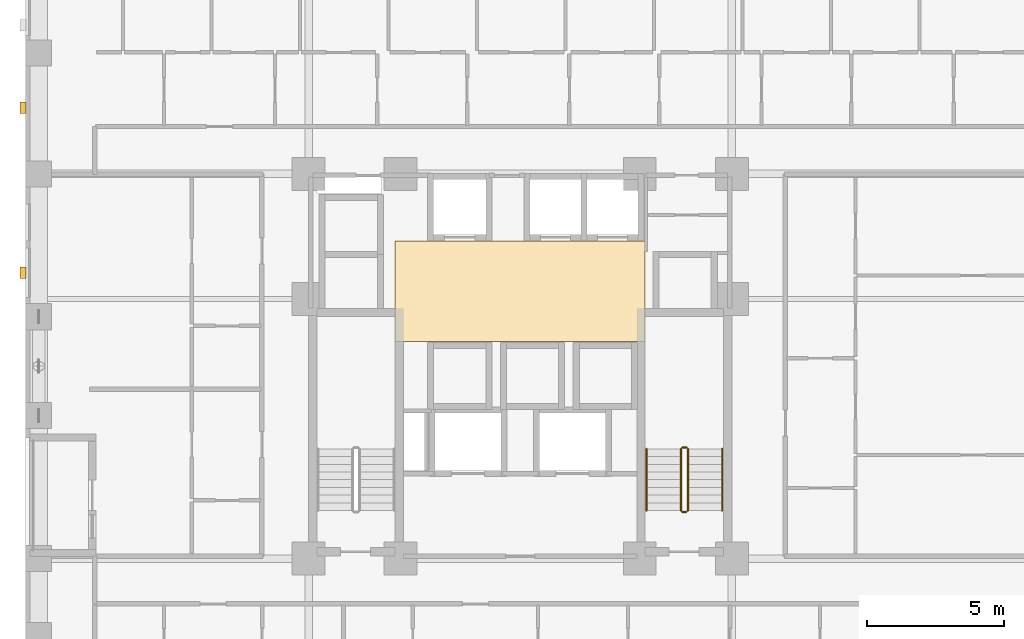
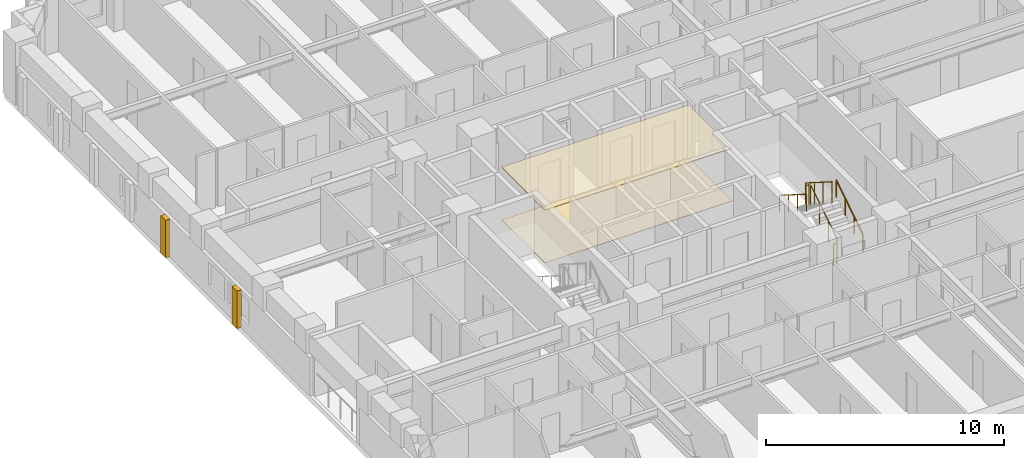
# One storey, part 13 of 14: 6 railings, 4 coverings.
"""IFC4 building model written with IfcOpenShell, lengths in metres."""

from ifc_helpers import new_model, si_unit, derived_unit, direction, frame, origin, origin_2d, place, context, subcontext, project, spatial, polyline, rectangle, circle, outline, extrude, material, layer, layer_set, type_object, element, save


model = new_model("IFC4")

# Units and contexts
model_context = context("Model", 3, precision=1e-05, world=origin(), true_north=direction((0.0, 1.0)))
body_context = subcontext(model_context, "Body", "Model", "MODEL_VIEW")
ifc_project = project(units=[si_unit("LENGTHUNIT", "METRE"), si_unit("AREAUNIT", "SQUARE_METRE"), si_unit("VOLUMEUNIT", "CUBIC_METRE"), si_unit("PLANEANGLEUNIT", "RADIAN"), si_unit("MASSUNIT", "GRAM", prefix="KILO"), derived_unit("THERMALTRANSMITTANCEUNIT", [(si_unit("MASSUNIT", "GRAM", prefix="KILO"), 1), (si_unit("TIMEUNIT", "SECOND"), -3), (si_unit("THERMODYNAMICTEMPERATUREUNIT", "KELVIN"), -1)])], contexts=[model_context])

# Site, building, storey
site_placement = place(None, origin())
site = spatial("IfcSite", under=ifc_project, at=site_placement, CompositionType="ELEMENT")
building_placement = place(site_placement, origin())
building = spatial("IfcBuilding", under=site, at=building_placement, Name="Korrvale Station Residences", CompositionType="ELEMENT")
storey_placement = place(building_placement, frame((0.0, 0.0, 41.800048828125)))
storey = spatial("IfcBuildingStorey", under=building, at=storey_placement, Name="L10", CompositionType="ELEMENT", Elevation=41.800048828125)

# Coverings
ifc_material_1 = material(Name="Perforated acoustic mineral-fibre suspended ceiling", Category="gypsum")
ifc_layer_1 = layer(ifc_material_1, 0.050048828125, Name="Perforated acoustic mineral-fibre suspended ceiling")
ifc_layer_set_1 = layer_set([ifc_layer_1], Name="Perforated acoustic mineral-fibre suspended ceiling")
covering_type_1 = type_object("IfcCoveringType", Name="COV-CLG-AC60", PredefinedType="CEILING", material=ifc_layer_set_1)
covering_1_placement = place(storey_placement, frame((0.0, 0.0, 2.68994140625)))
element("IfcCovering", 1, at=covering_1_placement, inside=storey, type_object=covering_type_1, Name="L10 Elevator Lobby Acoustic Ceiling", PredefinedType="CEILING", context=body_context, shape_type="SweptSolid", body=[
    extrude(outline(polyline([(20.949951171875, 22.89990234375), (30.050048828125, 22.89990234375), (30.050048828125, 26.550048828125), (20.949951171875, 26.550048828125), (20.949951171875, 22.89990234375)])), origin(), (0.0, 0.0, 1.0), 0.050048828125),
])
ifc_material_2 = material(Name="Polished quartz-terrazzo lobby flooring", Category="masonry")
ifc_layer_2 = layer(ifc_material_2, 0.02001953125, Name="Polished quartz-terrazzo lobby flooring")
ifc_layer_set_2 = layer_set([ifc_layer_2], Name="Polished quartz-terrazzo lobby flooring")
covering_type_2 = type_object("IfcCoveringType", Name="COV-FLR-TER20", PredefinedType="FLOORING", material=ifc_layer_set_2)
covering_2_placement = place(storey_placement, origin())
element("IfcCovering", 2, at=covering_2_placement, inside=storey, type_object=covering_type_2, Name="L10 Elevator Lobby Terrazzo Flooring", PredefinedType="FLOORING", context=body_context, shape_type="SweptSolid", body=[
    extrude(outline(polyline([(20.949951171875, 22.89990234375), (30.050048828125, 22.89990234375), (30.050048828125, 26.550048828125), (20.949951171875, 26.550048828125), (20.949951171875, 22.89990234375)])), origin(), (0.0, 0.0, 1.0), 0.02001953125),
])
ifc_material_3 = material(Name="Architectural precast concrete C45/55", Category="concrete")
ifc_layer_3 = layer(ifc_material_3, 0.219970703125, Name="Architectural precast concrete C45/55")
ifc_layer_set_3 = layer_set([ifc_layer_3], Name="Architectural precast concrete C45/55")
covering_type_3 = type_object("IfcCoveringType", Name="COV-PIER-400", PredefinedType="CLADDING", material=ifc_layer_set_3)
for number, where, z_axis, x_axis, name in (
    (3, (7.409912109375, 25.39990234375, 0.02490234375), (0.0, 0.0, 1.0), (0.0, 1.0, 0.0), "L10 Architectural Precast Facade Pier 13"),
    (4, (7.409912109375, 31.39990234375, 0.02490234375), (0.0, 0.0, 1.0), (0.0, 1.0, 0.0), "L10 Architectural Precast Facade Pier 14"),
):
    element("IfcCovering", number, at=place(storey_placement, frame(where, z_axis=z_axis, x_axis=x_axis)), inside=storey, type_object=covering_type_3, Name=name, PredefinedType="CLADDING", context=body_context, shape_type="SweptSolid", body=[
        extrude(rectangle(XDim=0.419921875, YDim=0.219970703125, at=origin_2d()), origin(), (0.0, 0.0, 1.0), 1.925048828125),
    ])

# Railings
ifc_material_4 = material(Name="Brushed stainless-steel continuous stair handrail", Category="steel")
railing_type_1 = type_object("IfcRailingType", Name="RLG-SHND-900", PredefinedType="HANDRAIL", material=ifc_material_4)
railing_1_placement = place(storey_placement, frame((32.85009765625, 16.75, 0.177734375)))
element("IfcRailing", 5, at=railing_1_placement, inside=storey, type_object=railing_type_1, Name="L10 ST-2 stair handrail 1", PredefinedType="HANDRAIL", context=body_context, shape_type="SweptSolid", body=[
    extrude(circle(Radius=0.02392578125, at=origin_2d()), frame((0.0, 0.0, 0.8759765625), z_axis=(0.0, 0.8442293374, 0.53598211339), x_axis=(-1.0, 0.0, 0.0)), (0.0, 0.0, 1.0), 2.6533203125),
    extrude(circle(Radius=0.02099609375, at=origin_2d()), origin(), (0.0, 0.0, 1.0), 0.851806640625),
    extrude(circle(Radius=0.02099609375, at=origin_2d()), frame((0.0, 0.74658203125, 0.47412109375)), (0.0, 0.0, 1.0), 0.851806640625),
    extrude(circle(Radius=0.02099609375, at=origin_2d()), frame((0.0, 1.493408203125, 0.947998046875)), (0.0, 0.0, 1.0), 0.851806640625),
    extrude(circle(Radius=0.02099609375, at=origin_2d()), frame((0.0, 2.239990234375, 1.422119140625)), (0.0, 0.0, 1.0), 0.851806640625),
])
railing_2_placement = place(storey_placement, frame((30.10009765625, 18.989990234375, 1.77783203125)))
element("IfcRailing", 6, at=railing_2_placement, inside=storey, type_object=railing_type_1, Name="L10 ST-2 stair handrail 2", PredefinedType="HANDRAIL", context=body_context, shape_type="SweptSolid", body=[
    extrude(circle(Radius=0.02392578125, at=origin_2d()), frame((0.0, 0.0, 0.8759765625), z_axis=(0.0, -0.8442293374, 0.53598211339), x_axis=(1.0, 0.0, 0.0)), (0.0, 0.0, 1.0), 2.6533203125),
    extrude(circle(Radius=0.02099609375, at=origin_2d()), origin(), (0.0, 0.0, 1.0), 0.851806640625),
    extrude(circle(Radius=0.02099609375, at=origin_2d()), frame((0.0, -0.74658203125, 0.47412109375)), (0.0, 0.0, 1.0), 0.851806640625),
    extrude(circle(Radius=0.02099609375, at=origin_2d()), frame((0.0, -1.493408203125, 0.947998046875)), (0.0, 0.0, 1.0), 0.851806640625),
    extrude(circle(Radius=0.02099609375, at=origin_2d()), frame((0.0, -2.239990234375, 1.422119140625)), (0.0, 0.0, 1.0), 0.851806640625),
])
ifc_material_5 = material(Name="Galvanised painted tubular steel stair guard", Category="steel")
railing_type_2 = type_object("IfcRailingType", Name="RLG-STR-1100", PredefinedType="GUARDRAIL", material=ifc_material_5)
railing_3_placement = place(storey_placement, frame((31.60009765625, 16.75, 0.177734375)))
element("IfcRailing", 7, at=railing_3_placement, inside=storey, type_object=railing_type_2, Name="L10 ST-2 stair guard 1", PredefinedType="GUARDRAIL", context=body_context, shape_type="SweptSolid", body=[
    extrude(circle(Radius=0.02392578125, at=origin_2d()), frame((0.0, 0.0, 1.076171875), z_axis=(0.0, 0.8442293374, 0.53598211339), x_axis=(-1.0, 0.0, 0.0)), (0.0, 0.0, 1.0), 2.6533203125),
    extrude(circle(Radius=0.02099609375, at=origin_2d()), origin(), (0.0, 0.0, 1.0), 1.052001953125),
    extrude(circle(Radius=0.02099609375, at=origin_2d()), frame((0.0, 0.74658203125, 0.47412109375)), (0.0, 0.0, 1.0), 1.052001953125),
    extrude(circle(Radius=0.02099609375, at=origin_2d()), frame((0.0, 1.493408203125, 0.947998046875)), (0.0, 0.0, 1.0), 1.052001953125),
    extrude(circle(Radius=0.02099609375, at=origin_2d()), frame((0.0, 2.239990234375, 1.422119140625)), (0.0, 0.0, 1.0), 1.052001953125),
])
railing_4_placement = place(storey_placement, frame((31.550048828125, 19.0400390625, 1.599853515625)))
element("IfcRailing", 8, at=railing_4_placement, inside=storey, type_object=railing_type_2, Name="L10 ST-2 stair guard 2", PredefinedType="GUARDRAIL", context=body_context, shape_type="SweptSolid", body=[
    extrude(circle(Radius=0.02392578125, at=origin_2d()), frame((0.0, 0.0, 1.076171875), z_axis=(-1.0, 0.0, 0.0), x_axis=(0.0, -1.0, 0.0)), (0.0, 0.0, 1.0), 0.150146484375),
    extrude(circle(Radius=0.02099609375, at=origin_2d()), origin(), (0.0, 0.0, 1.0), 1.052001953125),
    extrude(circle(Radius=0.02099609375, at=origin_2d()), frame((-0.150146484375, 0.0, 0.0)), (0.0, 0.0, 1.0), 1.052001953125),
])
railing_5_placement = place(storey_placement, frame((31.35009765625, 18.989990234375, 1.77783203125)))
element("IfcRailing", 9, at=railing_5_placement, inside=storey, type_object=railing_type_2, Name="L10 ST-2 stair guard 3", PredefinedType="GUARDRAIL", context=body_context, shape_type="SweptSolid", body=[
    extrude(circle(Radius=0.02392578125, at=origin_2d()), frame((0.0, 0.0, 1.076171875), z_axis=(0.0, -0.8442293374, 0.53598211339), x_axis=(1.0, 0.0, 0.0)), (0.0, 0.0, 1.0), 2.6533203125),
    extrude(circle(Radius=0.02099609375, at=origin_2d()), origin(), (0.0, 0.0, 1.0), 1.052001953125),
    extrude(circle(Radius=0.02099609375, at=origin_2d()), frame((0.0, -0.74658203125, 0.47412109375)), (0.0, 0.0, 1.0), 1.052001953125),
    extrude(circle(Radius=0.02099609375, at=origin_2d()), frame((0.0, -1.493408203125, 0.947998046875)), (0.0, 0.0, 1.0), 1.052001953125),
    extrude(circle(Radius=0.02099609375, at=origin_2d()), frame((0.0, -2.239990234375, 1.422119140625)), (0.0, 0.0, 1.0), 1.052001953125),
])
railing_6_placement = place(storey_placement, frame((31.550048828125, 16.699951171875, 0.0)))
element("IfcRailing", 10, at=railing_6_placement, inside=storey, type_object=railing_type_2, Name="L10 ST-2 stair guard 4", PredefinedType="GUARDRAIL", context=body_context, shape_type="SweptSolid", body=[
    extrude(circle(Radius=0.02392578125, at=origin_2d()), frame((0.0, 0.0, 1.076171875), z_axis=(-1.0, 0.0, 0.0), x_axis=(0.0, -1.0, 0.0)), (0.0, 0.0, 1.0), 0.150146484375),
    extrude(circle(Radius=0.02099609375, at=origin_2d()), origin(), (0.0, 0.0, 1.0), 1.052001953125),
    extrude(circle(Radius=0.02099609375, at=origin_2d()), frame((-0.150146484375, 0.0, 0.0)), (0.0, 0.0, 1.0), 1.052001953125),
])

save(model, "model.ifc")
